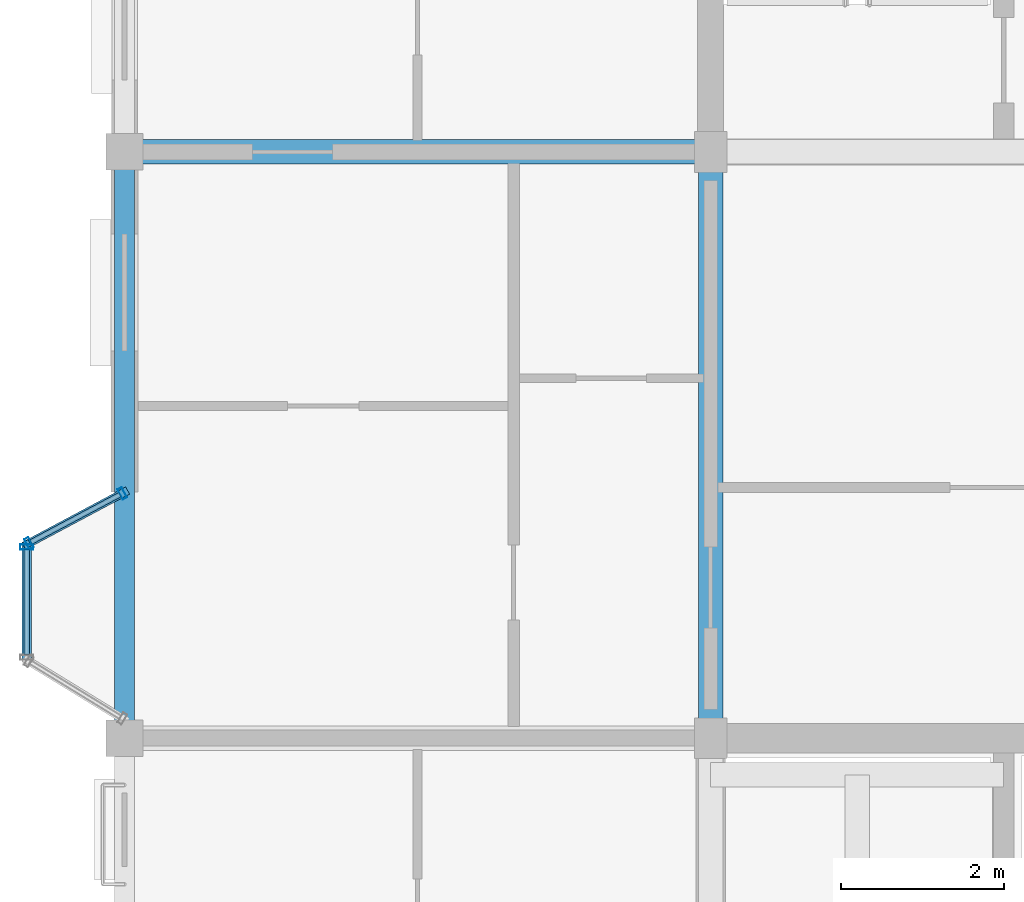
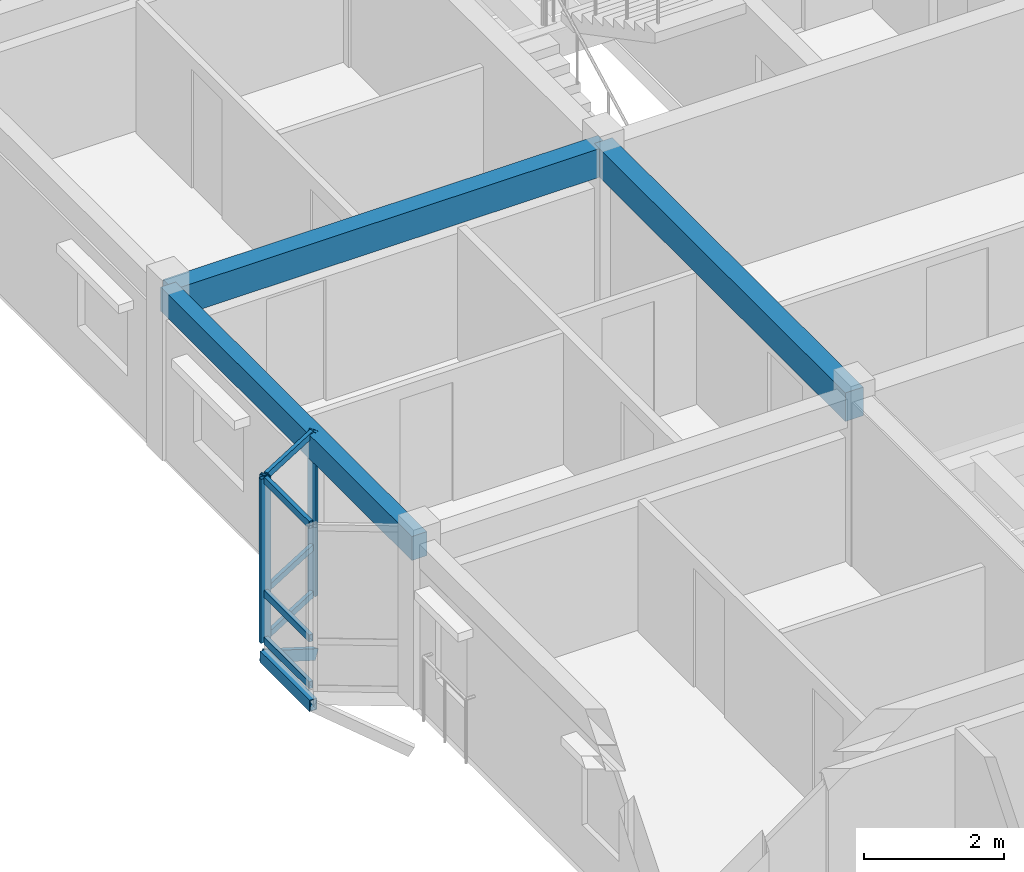
# One storey, part 8 of 28: 11 members, 3 beams, 2 elements without a shape of their own.
"""IFC4 building model written with IfcOpenShell, lengths in metres."""

from ifc_helpers import new_model, si_unit, direction, frame, origin, origin_2d, place, context, subcontext, project, spatial, rectangle, hollow_rectangle, extrude, material, layer, layer_set, material_profile, profile_set, type_object, element, aggregate, save


model = new_model("IFC4")

# Units and contexts
model_context = context("Model", 3, precision=1e-05, world=origin(), true_north=direction((0.0, 1.0)))
body_context = subcontext(model_context, "Body", "Model", "MODEL_VIEW")
ifc_project = project(units=[si_unit("LENGTHUNIT", "METRE"), si_unit("AREAUNIT", "SQUARE_METRE"), si_unit("VOLUMEUNIT", "CUBIC_METRE"), si_unit("PLANEANGLEUNIT", "RADIAN"), si_unit("MASSUNIT", "GRAM", prefix="KILO"), si_unit("THERMODYNAMICTEMPERATUREUNIT", "KELVIN"), si_unit("POWERUNIT", "WATT")], contexts=[model_context])

# Site, building, storey
site_placement = place(None, origin())
site = spatial("IfcSite", under=ifc_project, at=site_placement, CompositionType="ELEMENT")
building_placement = place(site_placement, origin())
building = spatial("IfcBuilding", under=site, at=building_placement, Name="Tavuni Mirador Residences", CompositionType="ELEMENT")
storey_placement = place(building_placement, frame((0.0, 0.0, 39.14990234375)))
storey = spatial("IfcBuildingStorey", under=building, at=storey_placement, Name="L12", CompositionType="ELEMENT", Elevation=39.14990234375)

# Beams
ifc_material_1 = material(Name="Precast concrete C40/50", Category="concrete")
ifc_material_profile_1 = material_profile(ifc_material_1, rectangle(XDim=0.300048828125, YDim=0.5, at=origin_2d()), Name="PC 300x500", Category="concrete")
ifc_profile_set_1 = profile_set([ifc_material_profile_1], Name="Precast concrete C40/50")
beam_type_1 = type_object("IfcBeamType", Name="BT-B500", PredefinedType="BEAM", material=ifc_profile_set_1)
for number, where, z_axis, x_axis, name in (
    (1, (3.60009765625, 28.800048828125, 2.6201171875), (1.0, 0.0, 0.0), (0.0, 1.0, 0.0), "BMX-BLK-A-L12-00-03"),
    (2, (10.800048828125, 21.60009765625, 2.6201171875), (0.0, 1.0, 0.0), (-1.0, 0.0, 0.0), "BMY-BLK-A-L12-01-02"),
):
    element("IfcBeam", number, at=place(storey_placement, frame(where, z_axis=z_axis, x_axis=x_axis)), inside=storey, type_object=beam_type_1, Name=name, PredefinedType="BEAM", context=body_context, shape_type="SweptSolid", body=[
        extrude(rectangle(XDim=0.300048828125, YDim=0.5, at=origin_2d()), origin(), (0.0, 0.0, 1.0), 7.199951171875),
    ])
ifc_material_profile_2 = material_profile(ifc_material_1, rectangle(XDim=0.25, YDim=0.419921875, at=origin_2d()), Name="PC 250x420", Category="concrete")
ifc_profile_set_2 = profile_set([ifc_material_profile_2], Name="Precast concrete C40/50")
beam_type_2 = type_object("IfcBeamType", Name="BT-SP420", PredefinedType="SPANDREL", material=ifc_profile_set_2)
beam_placement = place(storey_placement, frame((3.60009765625, 21.60009765625, 2.66015625), z_axis=(0.0, 1.0, 0.0), x_axis=(-1.0, 0.0, 0.0)))
element("IfcBeam", 3, at=beam_placement, inside=storey, type_object=beam_type_2, Name="BMY-BLK-A-L12-00-02", PredefinedType="SPANDREL", context=body_context, shape_type="SweptSolid", body=[
    extrude(rectangle(XDim=0.25, YDim=0.419921875, at=origin_2d()), origin(), (0.0, 0.0, 1.0), 7.199951171875),
])

# Curtain wall, members
ifc_material_2 = material(Name="Anodised aluminium", Category="aluminium")
ifc_layer_1 = layer(ifc_material_2, 0.1650390625, Name="Anodised aluminium", Category="aluminium")
ifc_layer_set_1 = layer_set([ifc_layer_1], Name="Anodised aluminium")
curtain_wall_type_1 = type_object("IfcCurtainWallType", Name="CWT-MIR-A", PredefinedType="NOTDEFINED", material=ifc_layer_set_1)
curtain_wall_1_placement = place(storey_placement, origin())
curtain_wall_1 = element("IfcCurtainWall", 4, at=curtain_wall_1_placement, inside=storey, type_object=curtain_wall_type_1, Name="CW-MIR-A-W2-L12-M1", PredefinedType="NOTDEFINED")
ifc_material_profile_3 = material_profile(ifc_material_2, hollow_rectangle(XDim=0.06005859375, YDim=0.139892578125, WallThickness=0.00390625, at=origin_2d()), Name="ALU 60x140x4.0", Category="aluminium")
ifc_profile_set_3 = profile_set([ifc_material_profile_3], Name="Anodised aluminium")
member_type_1 = type_object("IfcMemberType", Name="CWM-140", PredefinedType="MULLION", material=ifc_profile_set_3)
member_1_placement = place(storey_placement, frame((3.573486328125, 24.60595703125, 0.0), z_axis=(0.0, 0.0, 1.0), x_axis=(-0.882352941175, -0.470588235296, 0.0)))
member_1 = element("IfcMember", 5, at=member_1_placement, type_object=member_type_1, Name="CW-01 mullion 1", PredefinedType="MULLION", context=body_context, shape_type="SweptSolid", body=[
    extrude(hollow_rectangle(XDim=0.06005859375, YDim=0.139892578125, WallThickness=0.00390625, at=origin_2d()), origin(), (0.0, 0.0, 1.0), 2.8701171875),
])
member_2_placement = place(storey_placement, frame((2.426513671875, 23.994140625, 0.0), z_axis=(0.0, 0.0, 1.0), x_axis=(-0.882352941175, -0.470588235296, 0.0)))
member_2 = element("IfcMember", 6, at=member_2_placement, type_object=member_type_1, Name="CW-01 mullion 2", PredefinedType="MULLION", context=body_context, shape_type="SweptSolid", body=[
    extrude(hollow_rectangle(XDim=0.06005859375, YDim=0.139892578125, WallThickness=0.00390625, at=origin_2d()), origin(), (0.0, 0.0, 1.0), 2.8701171875),
])

# Curtain wall, member
ifc_layer_2 = layer(ifc_material_2, 0.14990234375, Name="Anodised aluminium", Category="aluminium")
ifc_layer_set_2 = layer_set([ifc_layer_2], Name="Anodised aluminium")
curtain_wall_type_2 = type_object("IfcCurtainWallType", Name="CWT-MIR-B", PredefinedType="NOTDEFINED", material=ifc_layer_set_2)
curtain_wall_2_placement = place(storey_placement, origin())
curtain_wall_2 = element("IfcCurtainWall", 7, at=curtain_wall_2_placement, inside=storey, type_object=curtain_wall_type_2, Name="CW-MIR-A-W2-L12-MF", PredefinedType="NOTDEFINED")
ifc_material_profile_4 = material_profile(ifc_material_2, hollow_rectangle(XDim=0.06494140625, YDim=0.1650390625, WallThickness=0.00439453125, at=origin_2d()), Name="ALU 65x165x4.5", Category="aluminium")
ifc_profile_set_4 = profile_set([ifc_material_profile_4], Name="Anodised aluminium")
member_type_2 = type_object("IfcMemberType", Name="CWM-165", PredefinedType="MULLION", material=ifc_profile_set_4)
member_3_placement = place(storey_placement, frame((2.39990234375, 23.947509765625, 0.0), z_axis=(0.0, 0.0, 1.0), x_axis=(0.0, -1.0, 0.0)))
member_3 = element("IfcMember", 8, at=member_3_placement, type_object=member_type_2, Name="CW-02 mullion 1", PredefinedType="MULLION", context=body_context, shape_type="SweptSolid", body=[
    extrude(hollow_rectangle(XDim=0.06494140625, YDim=0.1650390625, WallThickness=0.00439453125, at=origin_2d()), origin(), (0.0, 0.0, 1.0), 2.8701171875),
])

# Member
ifc_material_profile_5 = material_profile(ifc_material_2, hollow_rectangle(XDim=0.06005859375, YDim=0.110107421875, WallThickness=0.00390625, at=origin_2d()), Name="ALU 60x110x4.0", Category="aluminium")
ifc_profile_set_5 = profile_set([ifc_material_profile_5], Name="Anodised aluminium")
member_type_3 = type_object("IfcMemberType", Name="CWT-110", PredefinedType="USERDEFINED", material=ifc_profile_set_5)
member_4_placement = place(storey_placement, frame((3.547119140625, 24.591796875, 0.030029296875), z_axis=(-0.882385637708, -0.470526924168, 0.0), x_axis=(0.470526924168, -0.882385637708, 0.0)))
member_4 = element("IfcMember", 9, at=member_4_placement, type_object=member_type_3, Name="CW-01 transom 1.1", ObjectType="TRANSOM", PredefinedType="USERDEFINED", context=body_context, shape_type="SweptSolid", body=[
    extrude(hollow_rectangle(XDim=0.06005859375, YDim=0.110107421875, WallThickness=0.00390625, at=origin_2d()), origin(), (0.0, 0.0, 1.0), 1.239990234375),
])

member_5_placement = place(storey_placement, frame((3.547119140625, 24.591796875, 0.85009765625), z_axis=(-0.882385637708, -0.470526924168, 0.0), x_axis=(0.470526924168, -0.882385637708, 0.0)))
member_5 = element("IfcMember", 10, at=member_5_placement, type_object=member_type_3, Name="CW-01 transom 1.2", ObjectType="TRANSOM", PredefinedType="USERDEFINED", context=body_context, shape_type="SweptSolid", body=[
    extrude(hollow_rectangle(XDim=0.06005859375, YDim=0.110107421875, WallThickness=0.00390625, at=origin_2d()), origin(), (0.0, 0.0, 1.0), 1.239990234375),
])

member_6_placement = place(storey_placement, frame((3.547119140625, 24.591796875, 2.840087890625), z_axis=(-0.882385637708, -0.470526924168, 0.0), x_axis=(0.470526924168, -0.882385637708, 0.0)))
member_6 = element("IfcMember", 11, at=member_6_placement, type_object=member_type_3, Name="CW-01 transom 1.3", ObjectType="TRANSOM", PredefinedType="USERDEFINED", context=body_context, shape_type="SweptSolid", body=[
    extrude(hollow_rectangle(XDim=0.06005859375, YDim=0.110107421875, WallThickness=0.00390625, at=origin_2d()), origin(), (0.0, 0.0, 1.0), 1.239990234375),
])

aggregate(curtain_wall_1, [member_1, member_2, member_4, member_5, member_6])

ifc_material_profile_6 = material_profile(ifc_material_2, hollow_rectangle(XDim=0.06494140625, YDim=0.125, WallThickness=0.00439453125, at=origin_2d()), Name="ALU 65x125x4.5", Category="aluminium")
ifc_profile_set_6 = profile_set([ifc_material_profile_6], Name="Anodised aluminium")
member_type_4 = type_object("IfcMemberType", Name="CWT-125", PredefinedType="USERDEFINED", material=ifc_profile_set_6)
member_7_placement = place(storey_placement, frame((2.39990234375, 23.9150390625, 0.03271484375), z_axis=(0.0, -1.0, 0.0), x_axis=(1.0, 0.0, 0.0)))
member_7 = element("IfcMember", 12, at=member_7_placement, type_object=member_type_4, Name="CW-02 transom 1.1", ObjectType="TRANSOM", PredefinedType="USERDEFINED", context=body_context, shape_type="SweptSolid", body=[
    extrude(hollow_rectangle(XDim=0.06494140625, YDim=0.125, WallThickness=0.00439453125, at=origin_2d()), origin(), (0.0, 0.0, 1.0), 1.2900390625),
])

member_8_placement = place(storey_placement, frame((2.39990234375, 23.9150390625, 0.85009765625), z_axis=(0.0, -1.0, 0.0), x_axis=(1.0, 0.0, 0.0)))
member_8 = element("IfcMember", 13, at=member_8_placement, type_object=member_type_4, Name="CW-02 transom 1.2", ObjectType="TRANSOM", PredefinedType="USERDEFINED", context=body_context, shape_type="SweptSolid", body=[
    extrude(hollow_rectangle(XDim=0.06494140625, YDim=0.125, WallThickness=0.00439453125, at=origin_2d()), origin(), (0.0, 0.0, 1.0), 1.2900390625),
])

member_9_placement = place(storey_placement, frame((2.39990234375, 23.9150390625, 2.837646484375), z_axis=(0.0, -1.0, 0.0), x_axis=(1.0, 0.0, 0.0)))
member_9 = element("IfcMember", 14, at=member_9_placement, type_object=member_type_4, Name="CW-02 transom 1.3", ObjectType="TRANSOM", PredefinedType="USERDEFINED", context=body_context, shape_type="SweptSolid", body=[
    extrude(hollow_rectangle(XDim=0.06494140625, YDim=0.125, WallThickness=0.00439453125, at=origin_2d()), origin(), (0.0, 0.0, 1.0), 1.2900390625),
])

aggregate(curtain_wall_2, [member_3, member_7, member_8, member_9])

# Members
ifc_material_3 = material(Name="Structural steel S355", Category="steel")
ifc_material_profile_7 = material_profile(ifc_material_3, hollow_rectangle(XDim=0.10009765625, YDim=0.179931640625, WallThickness=0.008056640625, at=origin_2d()), Name="RHS 180x100x8.0", Category="steel")
ifc_profile_set_7 = profile_set([ifc_material_profile_7], Name="Structural steel S355")
member_type_5 = type_object("IfcMemberType", Name="MT-BR-RHS180", PredefinedType="BRACE", material=ifc_profile_set_7)
member_10_placement = place(storey_placement, frame((3.60009765625, 24.6201171875, -1.0498046875), z_axis=(-0.767847080655, -0.409539268811, 0.492634192918), x_axis=(0.470606866739, -0.882343004153, 0.0)))
element("IfcMember", 15, at=member_10_placement, inside=storey, type_object=member_type_5, Name="MBRK-MIR-A-W2-L12-2", PredefinedType="BRACE", context=body_context, shape_type="SweptSolid", body=[
    extrude(hollow_rectangle(XDim=0.10009765625, YDim=0.179931640625, WallThickness=0.008056640625, at=origin_2d()), origin(), (0.0, 0.0, 1.0), 1.56298828125),
])
ifc_material_profile_8 = material_profile(ifc_material_3, hollow_rectangle(XDim=0.1201171875, YDim=0.199951171875, WallThickness=0.010009765625, at=origin_2d()), Name="RHS 200x120x10.0", Category="steel")
ifc_profile_set_8 = profile_set([ifc_material_profile_8], Name="Structural steel S355")
member_type_6 = type_object("IfcMemberType", Name="MT-ST-RHS200", PredefinedType="STRUT", material=ifc_profile_set_8)
member_11_placement = place(storey_placement, frame((2.39990234375, 22.56005859375, -0.27978515625), z_axis=(0.0, 1.0, 0.0), x_axis=(-1.0, 0.0, 0.0)))
element("IfcMember", 16, at=member_11_placement, inside=storey, type_object=member_type_6, Name="MRIM-MIR-A-W2-L12", PredefinedType="STRUT", context=body_context, shape_type="SweptSolid", body=[
    extrude(hollow_rectangle(XDim=0.1201171875, YDim=0.199951171875, WallThickness=0.010009765625, at=origin_2d()), origin(), (0.0, 0.0, 1.0), 1.419921875),
])

save(model, "model.ifc")
